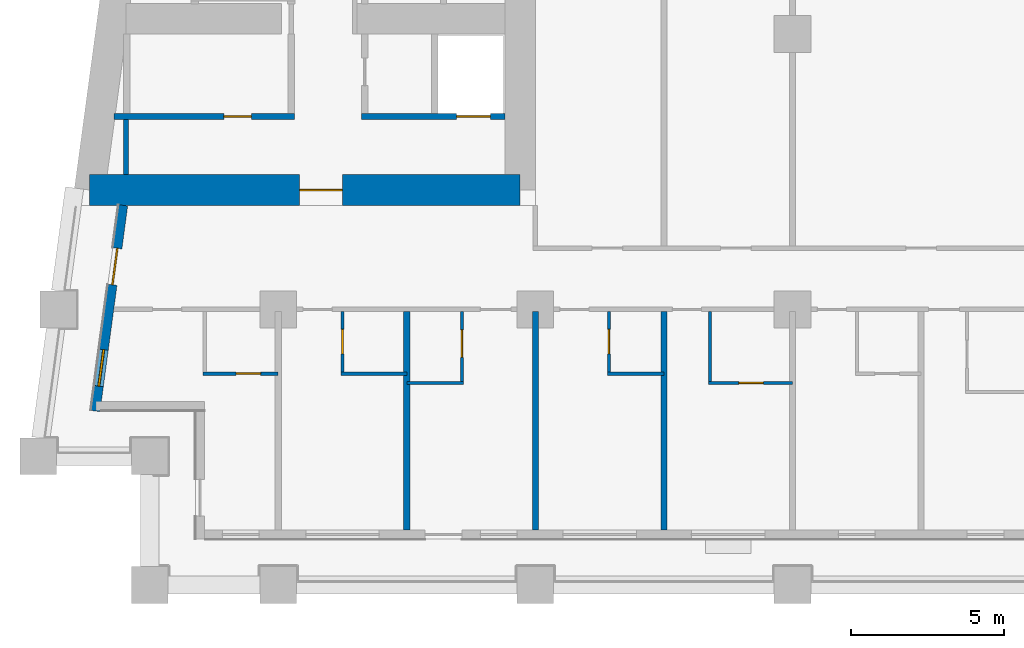
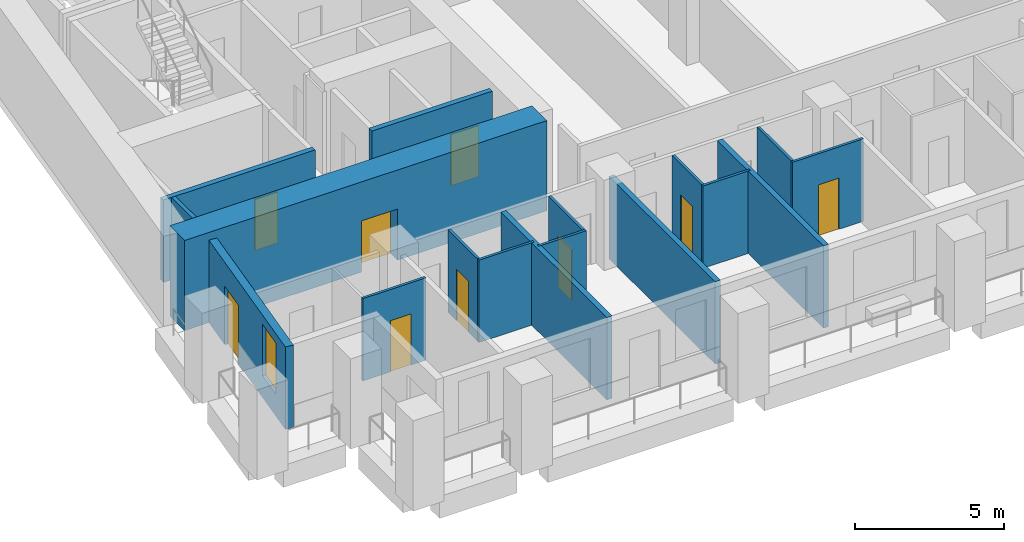
# One storey, part 2 of 14: 17 walls, 9 doors, 1 window, 10 openings.
"""IFC4 building model written with IfcOpenShell, lengths in metres."""

from ifc_helpers import new_model, si_unit, direction, frame, frame_2d, origin, place, context, subcontext, project, spatial, rectangle, extrude, material, layer, layer_set, type_object, element, fill, save


model = new_model("IFC4")

# Units and contexts
model_context = context("Model", 3, precision=1e-05, world=origin(), true_north=direction((0.0, 1.0)))
body_context = subcontext(model_context, "Body", "Model", "MODEL_VIEW")
ifc_project = project(units=[si_unit("LENGTHUNIT", "METRE"), si_unit("AREAUNIT", "SQUARE_METRE"), si_unit("VOLUMEUNIT", "CUBIC_METRE"), si_unit("PLANEANGLEUNIT", "RADIAN"), si_unit("MASSUNIT", "GRAM", prefix="KILO")], contexts=[model_context])

# Site, building, storey
site_placement = place(None, origin())
site = spatial("IfcSite", under=ifc_project, at=site_placement, CompositionType="ELEMENT")
building_placement = place(site_placement, origin())
building = spatial("IfcBuilding", under=site, at=building_placement, Name="Candeia Pilgrim Tower and Theatre", CompositionType="ELEMENT")
storey_placement = place(building_placement, frame((0.0, 0.0, 116.89990234375)))
storey = spatial("IfcBuildingStorey", under=building, at=storey_placement, Name="L27", CompositionType="ELEMENT", Elevation=116.89990234375)

# Wall, opening, door
ifc_material_1 = material(Name="Concrete C70/85", Category="concrete")
ifc_layer_1 = layer(ifc_material_1, 1.0)
ifc_layer_set_1 = layer_set([ifc_layer_1], Name="Core wall 1000 C70/85")
wall_type_1 = type_object("IfcWallType", Name="Core wall 1000 C70/85", PredefinedType="SHEAR", material=ifc_layer_set_1)
wall_1_placement = place(storey_placement, frame((100.300048828125, 110.89990234375, 0.0), z_axis=(0.0, 0.0, 1.0), x_axis=(-1.0, 0.0, 0.0)))
wall_1 = element("IfcWall", 1, at=wall_1_placement, inside=storey, type_object=wall_type_1, Name="Core wall W3", PredefinedType="SHEAR", context=body_context, shape_type="SweptSolid", body=[
    extrude(rectangle(XDim=14.05908203125, YDim=1.0, at=frame_2d((7.029541015625, 0.0))), origin(), (0.0, 0.0, 1.0), 3.7001953125),
])
opening_1_placement = place(wall_1_placement, frame((5.801513671875, 0.0, 0.0)))
opening_1 = element("IfcOpeningElement", 2, at=opening_1_placement, cuts=wall_1, Name="Opening L27-D066", PredefinedType="OPENING", context=body_context, shape_type="SweptSolid", body=[
    extrude(rectangle(XDim=1.39990234375, YDim=2.10009765625, at=frame_2d((0.699951171875, 1.050048828125))), frame((0.0, 0.510009765625, 0.0), z_axis=(0.0, -1.0, 0.0), x_axis=(1.0, 0.0, 0.0)), (0.0, 0.0, 1.0), 1.02001953125),
])
ifc_material_2 = material(Name="Steel fire door set", Category="steel")
door_type_1 = type_object("IfcDoorType", Name="D-1400-FD60", OperationType="NOTDEFINED", PredefinedType="DOOR", material=ifc_material_2)
door_1_placement = place(opening_1_placement, origin())
door_1 = element("IfcDoor", 3, at=door_1_placement, inside=storey, type_object=door_type_1, Name="Door L27-D066", OperationType="SINGLE_SWING_LEFT", OverallHeight=2.10009765625, OverallWidth=1.39990234375, PredefinedType="DOOR", context=body_context, shape_type="SweptSolid", body=[
    extrude(rectangle(XDim=1.39990234375, YDim=2.10009765625, at=frame_2d((0.699951171875, 1.050048828125))), frame((0.0, 0.02490234375, 0.0), z_axis=(0.0, -1.0, 0.0), x_axis=(1.0, 0.0, 0.0)), (0.0, 0.0, 1.0), 0.050048828125),
])
fill(opening_1, door_1)

# Wall, openings, door, window
ifc_material_3 = material(Name="Ceramic block masonry", Category="masonry")
ifc_layer_2 = layer(ifc_material_3, 0.300048828125)
ifc_layer_set_2 = layer_set([ifc_layer_2], Name="EW1 glazing-line wall 300")
wall_type_2 = type_object("IfcWallType", Name="EW1 glazing-line wall 300", PredefinedType="SOLIDWALL", material=ifc_layer_set_2)
wall_2_placement = place(storey_placement, frame((87.334228515625, 110.39990234375, 0.0), z_axis=(0.0, 0.0, 1.0), x_axis=(-0.133437175554, -0.991057273915, 0.0)))
wall_2 = element("IfcWall", 4, at=wall_2_placement, inside=storey, type_object=wall_type_2, Name="External wall L27-9.1", PredefinedType="SOLIDWALL", context=body_context, shape_type="SweptSolid", body=[
    extrude(rectangle(XDim=6.780517578125, YDim=0.300048828125, at=frame_2d((3.39013671875, 0.0))), origin(), (0.0, 0.0, 1.0), 3.380126953125),
])
opening_2_placement = place(wall_2_placement, frame((1.41796875, 0.0, 0.0)))
opening_2 = element("IfcOpeningElement", 5, at=opening_2_placement, cuts=wall_2, Name="Opening L27-ED279", PredefinedType="OPENING", context=body_context, shape_type="SweptSolid", body=[
    extrude(rectangle(XDim=1.199951171875, YDim=2.39990234375, at=frame_2d((0.60009765625, 1.199951171875))), frame((0.0, 0.16015625, 0.0), z_axis=(0.0, -1.0, 0.0), x_axis=(1.0, 0.0, 0.0)), (0.0, 0.0, 1.0), 0.320068359375),
])
opening_3_placement = place(wall_2_placement, frame((4.75830078125, 0.0, 0.89990234375)))
opening_3 = element("IfcOpeningElement", 6, at=opening_3_placement, cuts=wall_2, Name="Opening W-B", PredefinedType="OPENING", context=body_context, shape_type="SweptSolid", body=[
    extrude(rectangle(XDim=1.199951171875, YDim=2.10009765625, at=frame_2d((0.60009765625, 1.050048828125))), frame((0.0, 0.16015625, 0.0), z_axis=(0.0, -1.0, 0.0), x_axis=(1.0, 0.0, 0.0)), (0.0, 0.0, 1.0), 0.320068359375),
])
ifc_material_4 = material(Name="Aluminium framed glazed door", Category="aluminium")
door_type_2 = type_object("IfcDoorType", Name="Loggia door 1200x2400", OperationType="DOUBLE_DOOR_SINGLE_SWING", PredefinedType="DOOR", material=ifc_material_4)
door_2_placement = place(opening_2_placement, origin())
door_2 = element("IfcDoor", 7, at=door_2_placement, inside=storey, type_object=door_type_2, Name="Loggia door L27-ED279", OperationType="DOUBLE_DOOR_SINGLE_SWING", OverallHeight=2.39990234375, OverallWidth=1.199951171875, PredefinedType="DOOR", context=body_context, shape_type="SweptSolid", body=[
    extrude(rectangle(XDim=1.199951171875, YDim=2.39990234375, at=frame_2d((0.60009765625, 1.199951171875))), frame((0.0, 0.02490234375, 0.0), z_axis=(0.0, -1.0, 0.0), x_axis=(1.0, 0.0, 0.0)), (0.0, 0.0, 1.0), 0.050048828125),
])
fill(opening_2, door_2)
ifc_material_5 = material(Name="Aluminium framed double glazing", Category="aluminium")
window_type = type_object("IfcWindowType", Name="W-B window 1200x2100", PartitioningType="SINGLE_PANEL", PredefinedType="WINDOW", material=ifc_material_5)
window_placement = place(opening_3_placement, origin())
window = element("IfcWindow", 8, at=window_placement, inside=storey, type_object=window_type, Name="Window W-B L27", OverallHeight=2.10009765625, OverallWidth=1.199951171875, PartitioningType="SINGLE_PANEL", PredefinedType="WINDOW", context=body_context, shape_type="SweptSolid", body=[
    extrude(rectangle(XDim=1.199951171875, YDim=2.10009765625, at=frame_2d((0.60009765625, 1.050048828125))), frame((0.0, 0.030029296875, 0.0), z_axis=(0.0, -1.0, 0.0), x_axis=(1.0, 0.0, 0.0)), (0.0, 0.0, 1.0), 0.06005859375),
])
fill(opening_3, window)

# Wall
ifc_material_6 = material(Name="Gypsum board partition on steel studs", Category="steel")
ifc_layer_3 = layer(ifc_material_6, 0.10009765625)
ifc_layer_set_3 = layer_set([ifc_layer_3], Name="PW-100 room partition")
wall_type_3 = type_object("IfcWallType", Name="PW-100 room partition", PredefinedType="PARTITIONING", material=ifc_layer_set_3)
wall_3_placement = place(storey_placement, frame((96.60009765625, 104.60009765625, 0.0), z_axis=(0.0, 0.0, 1.0), x_axis=(1.0, 0.0, 0.0)))
element("IfcWall", 9, at=wall_3_placement, inside=storey, type_object=wall_type_3, Name="Room partition L27-004", PredefinedType="PARTITIONING", context=body_context, shape_type="SweptSolid", body=[
    extrude(rectangle(XDim=1.849853515625, YDim=0.10009765625, at=frame_2d((0.9248046875, 0.0))), origin(), (0.0, 0.0, 1.0), 3.380126953125),
])

# Wall, opening, door
wall_4_placement = place(storey_placement, frame((106.449951171875, 104.60009765625, 0.0), z_axis=(0.0, 0.0, 1.0), x_axis=(1.0, 0.0, 0.0)))
wall_4 = element("IfcWall", 10, at=wall_4_placement, inside=storey, type_object=wall_type_3, Name="Room partition L27-005", PredefinedType="PARTITIONING", context=body_context, shape_type="SweptSolid", body=[
    extrude(rectangle(XDim=2.75, YDim=0.10009765625, at=frame_2d((1.375, 0.0))), origin(), (0.0, 0.0, 1.0), 3.380126953125),
])
opening_4_placement = place(wall_4_placement, frame((1.0, 0.0, 0.0)))
opening_4 = element("IfcOpeningElement", 11, at=opening_4_placement, cuts=wall_4, Name="Opening L27-D023", PredefinedType="OPENING", context=body_context, shape_type="SweptSolid", body=[
    extrude(rectangle(XDim=0.800048828125, YDim=2.10009765625, at=frame_2d((0.39990234375, 1.050048828125))), frame((0.0, 0.06005859375, 0.0), z_axis=(0.0, -1.0, 0.0), x_axis=(1.0, 0.0, 0.0)), (0.0, 0.0, 1.0), 0.1201171875),
])
ifc_material_7 = material(Name="Timber door leaf", Category="wood")
door_type_3 = type_object("IfcDoorType", Name="D-800", OperationType="NOTDEFINED", PredefinedType="DOOR", material=ifc_material_7)
door_3_placement = place(opening_4_placement, origin())
door_3 = element("IfcDoor", 12, at=door_3_placement, inside=storey, type_object=door_type_3, Name="Door L27-D023", OperationType="SINGLE_SWING_RIGHT", OverallHeight=2.10009765625, OverallWidth=0.800048828125, PredefinedType="DOOR", context=body_context, shape_type="SweptSolid", body=[
    extrude(rectangle(XDim=0.800048828125, YDim=2.10009765625, at=frame_2d((0.39990234375, 1.050048828125))), frame((0.0, 0.02490234375, 0.0), z_axis=(0.0, -1.0, 0.0), x_axis=(1.0, 0.0, 0.0)), (0.0, 0.0, 1.0), 0.050048828125),
])
fill(opening_4, door_3)

wall_5_placement = place(storey_placement, frame((89.949951171875, 104.89990234375, 0.0), z_axis=(0.0, 0.0, 1.0), x_axis=(1.0, 0.0, 0.0)))
wall_5 = element("IfcWall", 13, at=wall_5_placement, inside=storey, type_object=wall_type_3, Name="Room partition L27-006", PredefinedType="PARTITIONING", context=body_context, shape_type="SweptSolid", body=[
    extrude(rectangle(XDim=2.449951171875, YDim=0.10009765625, at=frame_2d((1.22509765625, 0.0))), origin(), (0.0, 0.0, 1.0), 3.380126953125),
])
opening_5_placement = place(wall_5_placement, frame((1.074951171875, 0.0, 0.0)))
opening_5 = element("IfcOpeningElement", 14, at=opening_5_placement, cuts=wall_5, Name="Opening L27-D015", PredefinedType="OPENING", context=body_context, shape_type="SweptSolid", body=[
    extrude(rectangle(XDim=0.800048828125, YDim=2.10009765625, at=frame_2d((0.39990234375, 1.050048828125))), frame((0.0, 0.06005859375, 0.0), z_axis=(0.0, -1.0, 0.0), x_axis=(1.0, 0.0, 0.0)), (0.0, 0.0, 1.0), 0.1201171875),
])
door_4_placement = place(opening_5_placement, origin())
door_4 = element("IfcDoor", 15, at=door_4_placement, inside=storey, type_object=door_type_3, Name="Door L27-D015", OperationType="SINGLE_SWING_RIGHT", OverallHeight=2.10009765625, OverallWidth=0.800048828125, PredefinedType="DOOR", context=body_context, shape_type="SweptSolid", body=[
    extrude(rectangle(XDim=0.800048828125, YDim=2.10009765625, at=frame_2d((0.39990234375, 1.050048828125))), frame((0.0, 0.02490234375, 0.0), z_axis=(0.0, -1.0, 0.0), x_axis=(1.0, 0.0, 0.0)), (0.0, 0.0, 1.0), 0.050048828125),
])
fill(opening_5, door_4)

# Walls
wall_6_placement = place(storey_placement, frame((94.449951171875, 104.89990234375, 0.0), z_axis=(0.0, 0.0, 1.0), x_axis=(1.0, 0.0, 0.0)))
element("IfcWall", 16, at=wall_6_placement, inside=storey, type_object=wall_type_3, Name="Room partition L27-007", PredefinedType="PARTITIONING", context=body_context, shape_type="SweptSolid", body=[
    extrude(rectangle(XDim=2.150146484375, YDim=0.10009765625, at=frame_2d((1.0751953125, 0.0))), origin(), (0.0, 0.0, 1.0), 3.380126953125),
])
wall_7_placement = place(storey_placement, frame((103.14990234375, 104.89990234375, 0.0), z_axis=(0.0, 0.0, 1.0), x_axis=(1.0, 0.0, 0.0)))
element("IfcWall", 17, at=wall_7_placement, inside=storey, type_object=wall_type_3, Name="Room partition L27-008", PredefinedType="PARTITIONING", context=body_context, shape_type="SweptSolid", body=[
    extrude(rectangle(XDim=1.85009765625, YDim=0.10009765625, at=frame_2d((0.925048828125, 0.0))), origin(), (0.0, 0.0, 1.0), 3.380126953125),
])

# Wall, opening, door
wall_8_placement = place(storey_placement, frame((94.5, 104.949951171875, 0.0), z_axis=(0.0, 0.0, 1.0), x_axis=(0.0, 1.0, 0.0)))
wall_8 = element("IfcWall", 18, at=wall_8_placement, inside=storey, type_object=wall_type_3, Name="Room partition L27-066", PredefinedType="PARTITIONING", context=body_context, shape_type="SweptSolid", body=[
    extrude(rectangle(XDim=1.97509765625, YDim=0.10009765625, at=frame_2d((0.987548828125, 0.0))), origin(), (0.0, 0.0, 1.0), 3.380126953125),
])
opening_6_placement = place(wall_8_placement, frame((0.60009765625, 0.0, 0.0)))
opening_6 = element("IfcOpeningElement", 19, at=opening_6_placement, cuts=wall_8, Name="Opening L27-D017", PredefinedType="OPENING", context=body_context, shape_type="SweptSolid", body=[
    extrude(rectangle(XDim=0.800048828125, YDim=2.10009765625, at=frame_2d((0.39990234375, 1.050048828125))), frame((0.0, 0.06005859375, 0.0), z_axis=(0.0, -1.0, 0.0), x_axis=(1.0, 0.0, 0.0)), (0.0, 0.0, 1.0), 0.1201171875),
])
door_5_placement = place(opening_6_placement, origin())
door_5 = element("IfcDoor", 20, at=door_5_placement, inside=storey, type_object=door_type_3, Name="Door L27-D017", OperationType="SINGLE_SWING_RIGHT", OverallHeight=2.10009765625, OverallWidth=0.800048828125, PredefinedType="DOOR", context=body_context, shape_type="SweptSolid", body=[
    extrude(rectangle(XDim=0.800048828125, YDim=2.10009765625, at=frame_2d((0.39990234375, 1.050048828125))), frame((0.0, 0.02490234375, 0.0), z_axis=(0.0, -1.0, 0.0), x_axis=(1.0, 0.0, 0.0)), (0.0, 0.0, 1.0), 0.050048828125),
])
fill(opening_6, door_5)

wall_9_placement = place(storey_placement, frame((98.39990234375, 104.64990234375, 0.0), z_axis=(0.0, 0.0, 1.0), x_axis=(0.0, 1.0, 0.0)))
wall_9 = element("IfcWall", 21, at=wall_9_placement, inside=storey, type_object=wall_type_3, Name="Room partition L27-076", PredefinedType="PARTITIONING", context=body_context, shape_type="SweptSolid", body=[
    extrude(rectangle(XDim=2.275146484375, YDim=0.10009765625, at=frame_2d((1.1376953125, 0.0))), origin(), (0.0, 0.0, 1.0), 3.380126953125),
])
opening_7_placement = place(wall_9_placement, frame((0.780029296875, 0.0, 0.0)))
opening_7 = element("IfcOpeningElement", 22, at=opening_7_placement, cuts=wall_9, Name="Opening L27-D019", PredefinedType="OPENING", context=body_context, shape_type="SweptSolid", body=[
    extrude(rectangle(XDim=0.89990234375, YDim=2.10009765625, at=frame_2d((0.449951171875, 1.050048828125))), frame((0.0, 0.06005859375, 0.0), z_axis=(0.0, -1.0, 0.0), x_axis=(1.0, 0.0, 0.0)), (0.0, 0.0, 1.0), 0.1201171875),
])
door_type_4 = type_object("IfcDoorType", Name="D-900", OperationType="NOTDEFINED", PredefinedType="DOOR", material=ifc_material_7)
door_6_placement = place(opening_7_placement, origin())
door_6 = element("IfcDoor", 23, at=door_6_placement, inside=storey, type_object=door_type_4, Name="Door L27-D019", OperationType="SINGLE_SWING_RIGHT", OverallHeight=2.10009765625, OverallWidth=0.89990234375, PredefinedType="DOOR", context=body_context, shape_type="SweptSolid", body=[
    extrude(rectangle(XDim=0.89990234375, YDim=2.10009765625, at=frame_2d((0.449951171875, 1.050048828125))), frame((0.0, 0.02490234375, 0.0), z_axis=(0.0, -1.0, 0.0), x_axis=(1.0, 0.0, 0.0)), (0.0, 0.0, 1.0), 0.050048828125),
])
fill(opening_7, door_6)

wall_10_placement = place(storey_placement, frame((103.199951171875, 104.949951171875, 0.0), z_axis=(0.0, 0.0, 1.0), x_axis=(0.0, 1.0, 0.0)))
wall_10 = element("IfcWall", 24, at=wall_10_placement, inside=storey, type_object=wall_type_3, Name="Room partition L27-081", PredefinedType="PARTITIONING", context=body_context, shape_type="SweptSolid", body=[
    extrude(rectangle(XDim=1.97509765625, YDim=0.10009765625, at=frame_2d((0.987548828125, 0.0))), origin(), (0.0, 0.0, 1.0), 3.380126953125),
])
opening_8_placement = place(wall_10_placement, frame((0.60009765625, 0.0, 0.0)))
opening_8 = element("IfcOpeningElement", 25, at=opening_8_placement, cuts=wall_10, Name="Opening L27-D021", PredefinedType="OPENING", context=body_context, shape_type="SweptSolid", body=[
    extrude(rectangle(XDim=0.800048828125, YDim=2.10009765625, at=frame_2d((0.39990234375, 1.050048828125))), frame((0.0, 0.06005859375, 0.0), z_axis=(0.0, -1.0, 0.0), x_axis=(1.0, 0.0, 0.0)), (0.0, 0.0, 1.0), 0.1201171875),
])
door_7_placement = place(opening_8_placement, origin())
door_7 = element("IfcDoor", 26, at=door_7_placement, inside=storey, type_object=door_type_3, Name="Door L27-D021", OperationType="SINGLE_SWING_RIGHT", OverallHeight=2.10009765625, OverallWidth=0.800048828125, PredefinedType="DOOR", context=body_context, shape_type="SweptSolid", body=[
    extrude(rectangle(XDim=0.800048828125, YDim=2.10009765625, at=frame_2d((0.39990234375, 1.050048828125))), frame((0.0, 0.02490234375, 0.0), z_axis=(0.0, -1.0, 0.0), x_axis=(1.0, 0.0, 0.0)), (0.0, 0.0, 1.0), 0.050048828125),
])
fill(opening_8, door_7)

# Walls
wall_11_placement = place(storey_placement, frame((106.5, 104.64990234375, 0.0), z_axis=(0.0, 0.0, 1.0), x_axis=(0.0, 1.0, 0.0)))
element("IfcWall", 27, at=wall_11_placement, inside=storey, type_object=wall_type_3, Name="Room partition L27-086", PredefinedType="PARTITIONING", context=body_context, shape_type="SweptSolid", body=[
    extrude(rectangle(XDim=2.275146484375, YDim=0.10009765625, at=frame_2d((1.1376953125, 0.0))), origin(), (0.0, 0.0, 1.0), 3.380126953125),
])
ifc_layer_4 = layer(ifc_material_6, 0.14990234375)
ifc_layer_set_4 = layer_set([ifc_layer_4], Name="PW-150 lobby wall")
wall_type_4 = type_object("IfcWallType", Name="PW-150 lobby wall", PredefinedType="PARTITIONING", material=ifc_layer_set_4)
wall_12_placement = place(storey_placement, frame((87.428955078125, 111.39990234375, 0.0), z_axis=(0.0, 0.0, 1.0), x_axis=(0.0, 1.0, 0.0)))
element("IfcWall", 28, at=wall_12_placement, inside=storey, type_object=wall_type_4, Name="Lobby wall L27-055", PredefinedType="PARTITIONING", context=body_context, shape_type="SweptSolid", body=[
    extrude(rectangle(XDim=1.800048828125, YDim=0.14990234375, at=frame_2d((0.89990234375, 0.0))), origin(), (0.0, 0.0, 1.0), 3.380126953125),
])
ifc_layer_5 = layer(ifc_material_6, 0.199951171875)
ifc_layer_set_5 = layer_set([ifc_layer_5], Name="PW-200 party wall")
wall_type_5 = type_object("IfcWallType", Name="PW-200 party wall", PredefinedType="PARTITIONING", material=ifc_layer_set_5)
for number, where, z_axis, x_axis, name in (
    (29, (96.60009765625, 99.7900390625, 0.0), (0.0, 0.0, 1.0), (0.0, 1.0, 0.0), "Party wall L27-071"),
    (30, (100.800048828125, 99.7900390625, 0.0), (0.0, 0.0, 1.0), (0.0, 1.0, 0.0), "Party wall L27-077"),
    (31, (105.0, 99.7900390625, 0.0), (0.0, 0.0, 1.0), (0.0, 1.0, 0.0), "Party wall L27-082"),
):
    element("IfcWall", number, at=place(storey_placement, frame(where, z_axis=z_axis, x_axis=x_axis)), inside=storey, type_object=wall_type_5, Name=name, PredefinedType="PARTITIONING", context=body_context, shape_type="SweptSolid", body=[
        extrude(rectangle(XDim=7.135009765625, YDim=0.199951171875, at=frame_2d((3.5673828125, 0.0))), origin(), (0.0, 0.0, 1.0), 3.380126953125),
    ])

# Wall, opening, door
ifc_material_8 = material(Name="Concrete C40/50", Category="concrete")
ifc_layer_6 = layer(ifc_material_8, 0.199951171875)
ifc_layer_set_6 = layer_set([ifc_layer_6], Name="SW-200 shaft wall")
wall_type_6 = type_object("IfcWallType", Name="SW-200 shaft wall", PredefinedType="PARTITIONING", material=ifc_layer_set_6)
wall_13_placement = place(storey_placement, frame((87.03857421875, 113.300048828125, 0.0), z_axis=(0.0, 0.0, 1.0), x_axis=(1.0, 0.0, 0.0)))
wall_13 = element("IfcWall", 32, at=wall_13_placement, inside=storey, type_object=wall_type_6, Name="Shaft wall L27-014", PredefinedType="PARTITIONING", context=body_context, shape_type="SweptSolid", body=[
    extrude(rectangle(XDim=5.888427734375, YDim=0.199951171875, at=frame_2d((2.9443359375, 0.0))), origin(), (0.0, 0.0, 1.0), 3.380126953125),
])
opening_9_placement = place(wall_13_placement, frame((3.58837890625, 0.0, 0.0)))
opening_9 = element("IfcOpeningElement", 33, at=opening_9_placement, cuts=wall_13, Name="Opening L27-D006", PredefinedType="OPENING", context=body_context, shape_type="SweptSolid", body=[
    extrude(rectangle(XDim=0.89990234375, YDim=2.10009765625, at=frame_2d((0.449951171875, 1.050048828125))), frame((0.0, 0.10986328125, 0.0), z_axis=(0.0, -1.0, 0.0), x_axis=(1.0, 0.0, 0.0)), (0.0, 0.0, 1.0), 0.219970703125),
])
door_type_5 = type_object("IfcDoorType", Name="D-900-FD60", OperationType="NOTDEFINED", PredefinedType="DOOR", material=ifc_material_2)
door_8_placement = place(opening_9_placement, origin())
door_8 = element("IfcDoor", 34, at=door_8_placement, inside=storey, type_object=door_type_5, Name="Door L27-D006", OperationType="SINGLE_SWING_RIGHT", OverallHeight=2.10009765625, OverallWidth=0.89990234375, PredefinedType="DOOR", context=body_context, shape_type="SweptSolid", body=[
    extrude(rectangle(XDim=0.89990234375, YDim=2.10009765625, at=frame_2d((0.449951171875, 1.050048828125))), frame((0.0, 0.02490234375, 0.0), z_axis=(0.0, -1.0, 0.0), x_axis=(1.0, 0.0, 0.0)), (0.0, 0.0, 1.0), 0.050048828125),
])
fill(opening_9, door_8)

wall_14_placement = place(storey_placement, frame((95.126953125, 113.300048828125, 0.0), z_axis=(0.0, 0.0, 1.0), x_axis=(1.0, 0.0, 0.0)))
wall_14 = element("IfcWall", 35, at=wall_14_placement, inside=storey, type_object=wall_type_6, Name="Shaft wall L27-015", PredefinedType="PARTITIONING", context=body_context, shape_type="SweptSolid", body=[
    extrude(rectangle(XDim=4.673095703125, YDim=0.199951171875, at=frame_2d((2.33642578125, 0.0))), origin(), (0.0, 0.0, 1.0), 3.380126953125),
])
opening_10_placement = place(wall_14_placement, frame((3.10107421875, 0.0, 0.0)))
opening_10 = element("IfcOpeningElement", 36, at=opening_10_placement, cuts=wall_14, Name="Opening L27-LD03", PredefinedType="OPENING", context=body_context, shape_type="SweptSolid", body=[
    extrude(rectangle(XDim=1.10009765625, YDim=2.10009765625, at=frame_2d((0.550048828125, 1.050048828125))), frame((0.0, 0.10986328125, 0.0), z_axis=(0.0, -1.0, 0.0), x_axis=(1.0, 0.0, 0.0)), (0.0, 0.0, 1.0), 0.219970703125),
])
ifc_material_9 = material(Name="Glazed aluminium landing door", Category="aluminium")
door_type_6 = type_object("IfcDoorType", Name="LD-1100-EI120", OperationType="SLIDING_TO_LEFT", PredefinedType="DOOR", material=ifc_material_9)
door_9_placement = place(opening_10_placement, origin())
door_9 = element("IfcDoor", 37, at=door_9_placement, inside=storey, type_object=door_type_6, Name="Landing door 03 L27", OperationType="SLIDING_TO_LEFT", OverallHeight=2.10009765625, OverallWidth=1.10009765625, PredefinedType="DOOR", context=body_context, shape_type="SweptSolid", body=[
    extrude(rectangle(XDim=1.10009765625, YDim=2.10009765625, at=frame_2d((0.550048828125, 1.050048828125))), frame((0.0, 0.02490234375, 0.0), z_axis=(0.0, -1.0, 0.0), x_axis=(1.0, 0.0, 0.0)), (0.0, 0.0, 1.0), 0.050048828125),
])
fill(opening_10, door_9)

save(model, "model.ifc")
